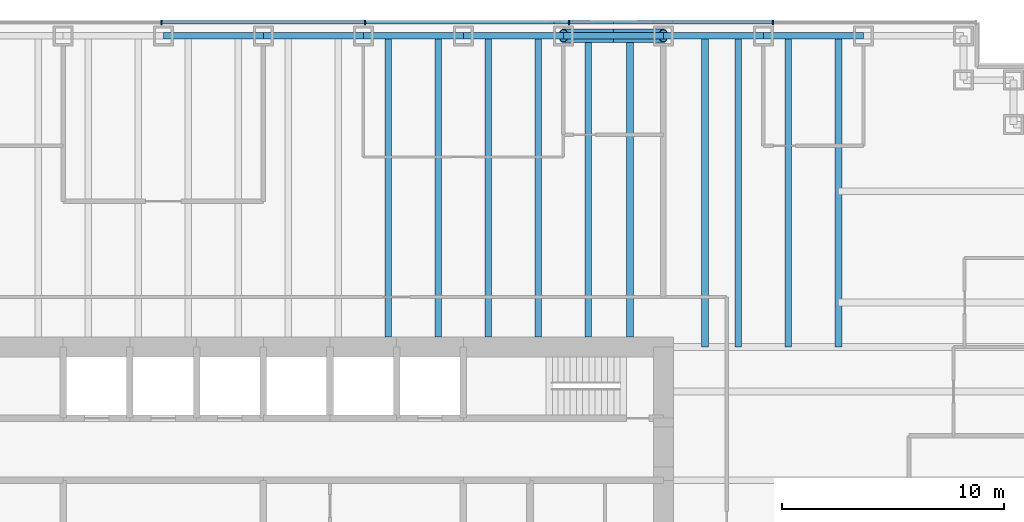
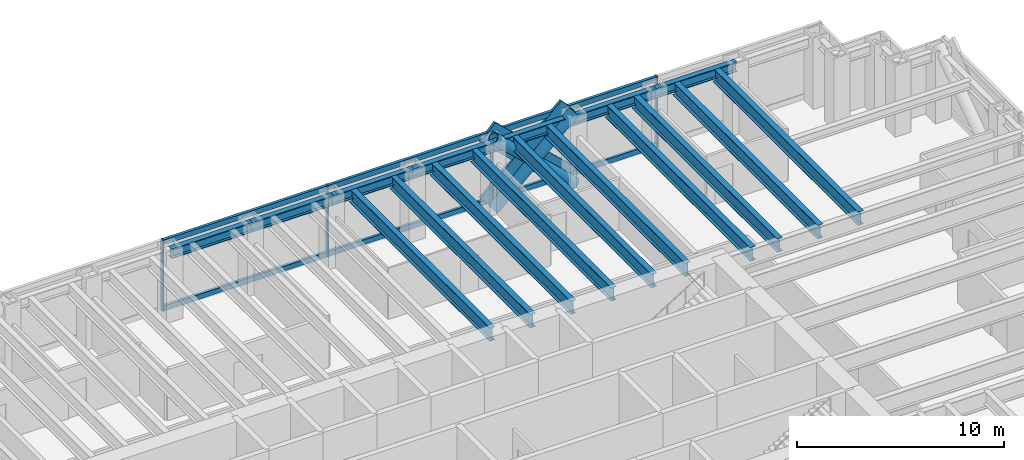
# One storey, part 7 of 17: 17 beams, 14 members, 1 element without a shape of its own.
"""IFC4 building model written with IfcOpenShell, lengths in metres."""

from ifc_helpers import new_model, si_unit, direction, frame, origin, origin_2d, place, context, subcontext, project, spatial, rectangle, hollow_circle, i_section, extrude, material, material_profile, profile_set, type_object, element, aggregate, save


model = new_model("IFC4")

# Units and contexts
model_context = context("Model", 3, precision=1e-05, world=origin(), true_north=direction((0.0, 1.0)))
body_context = subcontext(model_context, "Body", "Model", "MODEL_VIEW")
ifc_project = project(units=[si_unit("LENGTHUNIT", "METRE"), si_unit("AREAUNIT", "SQUARE_METRE"), si_unit("VOLUMEUNIT", "CUBIC_METRE"), si_unit("PLANEANGLEUNIT", "RADIAN"), si_unit("MASSUNIT", "GRAM", prefix="KILO")], contexts=[model_context])

# Site, building, storey
site_placement = place(None, origin())
site = spatial("IfcSite", under=ifc_project, at=site_placement, CompositionType="ELEMENT")
building_placement = place(site_placement, origin())
building = spatial("IfcBuilding", under=site, at=building_placement, Name="Rheinbord Bourse Tower", CompositionType="ELEMENT")
storey_placement = place(building_placement, frame((0.0, 0.0, 138.300048828125)))
storey = spatial("IfcBuildingStorey", under=building, at=storey_placement, Name="L30", CompositionType="ELEMENT", Elevation=138.300048828125)

# Curtain wall, members
ifc_material_1 = material(Name="Dark glass and black aluminium", Category="aluminium")
curtain_wall_type = type_object("IfcCurtainWallType", Name="CW2 DARK GLASS CURTAIN WALL", PredefinedType="USERDEFINED", material=ifc_material_1)
curtain_wall_placement = place(storey_placement, origin())
curtain_wall = element("IfcCurtainWall", 1, at=curtain_wall_placement, inside=storey, type_object=curtain_wall_type, Name="Curtain wall CW2 N L30", ObjectType="UNITISED CURTAIN WALL", PredefinedType="USERDEFINED")
ifc_material_2 = material(Name="Black anodised aluminium", Category="aluminium")
ifc_material_profile_1 = material_profile(ifc_material_2, rectangle(XDim=0.159912109375, YDim=1.2099609375, at=origin_2d()), Name="CW2 DIAGONAL MULLION 1210x160")
ifc_profile_set_1 = profile_set([ifc_material_profile_1], Name="Black anodised aluminium")
member_type_1 = type_object("IfcMemberType", Name="CW2 BLACK DIAGONAL MULLION", PredefinedType="USERDEFINED", material=ifc_profile_set_1)
member_1_placement = place(storey_placement, frame((54.0, 46.60009765625, 0.0), z_axis=(-0.73105922506, 0.0, 0.682314010889), x_axis=(0.0, -1.0, 0.0)))
member_1 = element("IfcMember", 2, at=member_1_placement, type_object=member_type_1, Name="CW2 diagonal mullion b", ObjectType="DIAGONAL MULLION", PredefinedType="USERDEFINED", context=body_context, shape_type="SweptSolid", body=[
    extrude(rectangle(XDim=0.159912109375, YDim=1.2099609375, at=origin_2d()), origin(), (0.0, 0.0, 1.0), 6.155517578125),
])
member_2_placement = place(storey_placement, frame((49.5, 46.60009765625, 0.0), z_axis=(0.73105922506, 0.0, 0.682314010889), x_axis=(0.0, 1.0, 0.0)))
member_2 = element("IfcMember", 3, at=member_2_placement, type_object=member_type_1, Name="CW2 diagonal mullion c", ObjectType="DIAGONAL MULLION", PredefinedType="USERDEFINED", context=body_context, shape_type="SweptSolid", body=[
    extrude(rectangle(XDim=0.159912109375, YDim=1.2099609375, at=origin_2d()), origin(), (0.0, 0.0, 1.0), 6.155517578125),
])
ifc_material_3 = material(Name="Black anodised aluminium", Category="aluminium")
ifc_material_profile_2 = material_profile(ifc_material_3, rectangle(XDim=0.219970703125, YDim=0.070068359375, at=origin_2d()), Name="CW2 MULLION 70x220")
ifc_profile_set_2 = profile_set([ifc_material_profile_2], Name="Black anodised aluminium")
member_type_2 = type_object("IfcMemberType", Name="CW2 BLACK MULLION", PredefinedType="MULLION", material=ifc_profile_set_2)
member_3_placement = place(storey_placement, frame((58.928466796875, 46.60009765625, 0.0), z_axis=(0.0, 0.0, 1.0), x_axis=(0.0, -1.0, 0.0)))
member_3 = element("IfcMember", 4, at=member_3_placement, type_object=member_type_2, Name="CW2 mullion 2", PredefinedType="MULLION", context=body_context, shape_type="SweptSolid", body=[
    extrude(rectangle(XDim=0.219970703125, YDim=0.070068359375, at=origin_2d()), origin(), (0.0, 0.0, 1.0), 4.199951171875),
])
member_4_placement = place(storey_placement, frame((49.757080078125, 46.60009765625, 0.0), z_axis=(0.0, 0.0, 1.0), x_axis=(0.0, -1.0, 0.0)))
member_4 = element("IfcMember", 5, at=member_4_placement, type_object=member_type_2, Name="CW2 mullion 3", PredefinedType="MULLION", context=body_context, shape_type="SweptSolid", body=[
    extrude(rectangle(XDim=0.219970703125, YDim=0.070068359375, at=origin_2d()), origin(), (0.0, 0.0, 1.0), 4.199951171875),
])
member_5_placement = place(storey_placement, frame((40.585693359375, 46.60009765625, 0.0), z_axis=(0.0, 0.0, 1.0), x_axis=(0.0, -1.0, 0.0)))
member_5 = element("IfcMember", 6, at=member_5_placement, type_object=member_type_2, Name="CW2 mullion 4", PredefinedType="MULLION", context=body_context, shape_type="SweptSolid", body=[
    extrude(rectangle(XDim=0.219970703125, YDim=0.070068359375, at=origin_2d()), origin(), (0.0, 0.0, 1.0), 4.199951171875),
])
member_6_placement = place(storey_placement, frame((31.414306640625, 46.60009765625, 0.0), z_axis=(0.0, 0.0, 1.0), x_axis=(0.0, -1.0, 0.0)))
member_6 = element("IfcMember", 7, at=member_6_placement, type_object=member_type_2, Name="CW2 mullion 5", PredefinedType="MULLION", context=body_context, shape_type="SweptSolid", body=[
    extrude(rectangle(XDim=0.219970703125, YDim=0.070068359375, at=origin_2d()), origin(), (0.0, 0.0, 1.0), 4.199951171875),
])
ifc_material_4 = material(Name="Black anodised aluminium", Category="aluminium")
ifc_material_profile_3 = material_profile(ifc_material_4, rectangle(XDim=0.159912109375, YDim=0.300048828125, at=origin_2d()), Name="CW2 TRANSOM 300x160")
ifc_profile_set_3 = profile_set([ifc_material_profile_3], Name="Black anodised aluminium")
member_type_3 = type_object("IfcMemberType", Name="CW2 BLACK TRANSOM", PredefinedType="USERDEFINED", material=ifc_profile_set_3)
member_7_placement = place(storey_placement, frame((58.8935546875, 46.60009765625, 0.14990234375), z_axis=(-1.0, 0.0, 0.0), x_axis=(0.0, -1.0, 0.0)))
member_7 = element("IfcMember", 8, at=member_7_placement, type_object=member_type_3, Name="CW2 transom 2.1", ObjectType="TRANSOM", PredefinedType="USERDEFINED", context=body_context, shape_type="SweptSolid", body=[
    extrude(rectangle(XDim=0.159912109375, YDim=0.300048828125, at=origin_2d()), origin(), (0.0, 0.0, 1.0), 9.101318359375),
])
member_8_placement = place(storey_placement, frame((58.8935546875, 46.60009765625, 4.050048828125), z_axis=(-1.0, 0.0, 0.0), x_axis=(0.0, -1.0, 0.0)))
member_8 = element("IfcMember", 9, at=member_8_placement, type_object=member_type_3, Name="CW2 transom 2.2", ObjectType="TRANSOM", PredefinedType="USERDEFINED", context=body_context, shape_type="SweptSolid", body=[
    extrude(rectangle(XDim=0.159912109375, YDim=0.300048828125, at=origin_2d()), origin(), (0.0, 0.0, 1.0), 9.101318359375),
])
member_9_placement = place(storey_placement, frame((49.72216796875, 46.60009765625, 0.14990234375), z_axis=(-1.0, 0.0, 0.0), x_axis=(0.0, -1.0, 0.0)))
member_9 = element("IfcMember", 10, at=member_9_placement, type_object=member_type_3, Name="CW2 transom 3.1", ObjectType="TRANSOM", PredefinedType="USERDEFINED", context=body_context, shape_type="SweptSolid", body=[
    extrude(rectangle(XDim=0.159912109375, YDim=0.300048828125, at=origin_2d()), origin(), (0.0, 0.0, 1.0), 9.1015625),
])
member_10_placement = place(storey_placement, frame((49.72216796875, 46.60009765625, 4.050048828125), z_axis=(-1.0, 0.0, 0.0), x_axis=(0.0, -1.0, 0.0)))
member_10 = element("IfcMember", 11, at=member_10_placement, type_object=member_type_3, Name="CW2 transom 3.2", ObjectType="TRANSOM", PredefinedType="USERDEFINED", context=body_context, shape_type="SweptSolid", body=[
    extrude(rectangle(XDim=0.159912109375, YDim=0.300048828125, at=origin_2d()), origin(), (0.0, 0.0, 1.0), 9.1015625),
])
member_11_placement = place(storey_placement, frame((40.55078125, 46.60009765625, 0.14990234375), z_axis=(-1.0, 0.0, 0.0), x_axis=(0.0, -1.0, 0.0)))
member_11 = element("IfcMember", 12, at=member_11_placement, type_object=member_type_3, Name="CW2 transom 4.1", ObjectType="TRANSOM", PredefinedType="USERDEFINED", context=body_context, shape_type="SweptSolid", body=[
    extrude(rectangle(XDim=0.159912109375, YDim=0.300048828125, at=origin_2d()), origin(), (0.0, 0.0, 1.0), 9.1015625),
])
member_12_placement = place(storey_placement, frame((40.55078125, 46.60009765625, 4.050048828125), z_axis=(-1.0, 0.0, 0.0), x_axis=(0.0, -1.0, 0.0)))
member_12 = element("IfcMember", 13, at=member_12_placement, type_object=member_type_3, Name="CW2 transom 4.2", ObjectType="TRANSOM", PredefinedType="USERDEFINED", context=body_context, shape_type="SweptSolid", body=[
    extrude(rectangle(XDim=0.159912109375, YDim=0.300048828125, at=origin_2d()), origin(), (0.0, 0.0, 1.0), 9.1015625),
])
aggregate(curtain_wall, [member_3, member_4, member_5, member_6, member_7, member_8, member_9, member_10, member_11, member_12, member_1, member_2])

# Beams
ifc_material_5 = material(Name="Steel S460", Category="steel")
ifc_material_profile_4 = material_profile(ifc_material_5, i_section(OverallWidth=0.300048828125, OverallDepth=0.800048828125, WebThickness=0.017578125, FlangeThickness=0.032958984375, at=origin_2d()), Name="HEB 800")
ifc_profile_set_4 = profile_set([ifc_material_profile_4], Name="Steel S460")
beam_type_1 = type_object("IfcBeamType", Name="FLOOR BEAM HEB 800", PredefinedType="BEAM", material=ifc_profile_set_4)
for number, where, z_axis, x_axis, name in (
    (14, (41.625, 46.0, 3.639892578125), (0.0, -1.0, 0.0), (1.0, 0.0, 0.0), "Floor beam N-40.5a L31"),
    (15, (43.875, 46.0, 3.639892578125), (0.0, -1.0, 0.0), (1.0, 0.0, 0.0), "Floor beam N-40.5b L31"),
    (16, (46.125, 46.0, 3.639892578125), (0.0, -1.0, 0.0), (1.0, 0.0, 0.0), "Floor beam N-45a L31"),
    (17, (48.375, 46.0, 3.639892578125), (0.0, -1.0, 0.0), (1.0, 0.0, 0.0), "Floor beam N-45b L31"),
    (18, (50.625, 46.0, 3.639892578125), (0.0, -1.0, 0.0), (1.0, 0.0, 0.0), "Floor beam N-49.5a L31"),
    (19, (52.5, 46.0, 3.639892578125), (0.0, -1.0, 0.0), (1.0, 0.0, 0.0), "Floor beam N-49.5b L31"),
):
    element("IfcBeam", number, at=place(storey_placement, frame(where, z_axis=z_axis, x_axis=x_axis)), inside=storey, type_object=beam_type_1, Name=name, PredefinedType="BEAM", context=body_context, shape_type="SweptSolid", body=[
        extrude(i_section(OverallWidth=0.300048828125, OverallDepth=0.800048828125, WebThickness=0.017578125, FlangeThickness=0.032958984375, at=origin_2d()), origin(), (0.0, 0.0, 1.0), 13.550048828125),
    ])
for number, where, z_axis, x_axis, name in (
    (20, (55.875, 46.0, 3.639892578125), (0.0, -1.0, 0.0), (1.0, 0.0, 0.0), "Floor beam N-54a L31"),
    (21, (57.375, 46.0, 3.639892578125), (0.0, -1.0, 0.0), (1.0, 0.0, 0.0), "Floor beam N-54b L31"),
    (22, (59.625, 46.0, 3.639892578125), (0.0, -1.0, 0.0), (1.0, 0.0, 0.0), "Floor beam N-58.5a L31"),
    (23, (61.875, 46.0, 3.639892578125), (0.0, -1.0, 0.0), (1.0, 0.0, 0.0), "Floor beam N-58.5b L31"),
):
    element("IfcBeam", number, at=place(storey_placement, frame(where, z_axis=z_axis, x_axis=x_axis)), inside=storey, type_object=beam_type_1, Name=name, PredefinedType="BEAM", context=body_context, shape_type="SweptSolid", body=[
        extrude(i_section(OverallWidth=0.300048828125, OverallDepth=0.800048828125, WebThickness=0.017578125, FlangeThickness=0.032958984375, at=origin_2d()), origin(), (0.0, 0.0, 1.0), 14.0),
    ])

# Members
ifc_material_6 = material(Name="Steel S460", Category="steel")
ifc_material_profile_5 = material_profile(ifc_material_6, hollow_circle(Radius=0.304931640625, WallThickness=0.0400390625, at=origin_2d()), Name="CHS 610x40")
ifc_profile_set_5 = profile_set([ifc_material_profile_5], Name="Steel S460")
member_type_4 = type_object("IfcMemberType", Name="MEGABRACE CHS 610x40", PredefinedType="BRACE", material=ifc_profile_set_5)
for number, where, z_axis, x_axis, name in (
    (24, (54.0, 46.0, 0.0), (-0.73105922506, 0.0, 0.682314010889), (0.0, -1.0, 0.0), "Megabrace N face line b L30"),
    (25, (49.5, 46.0, 0.0), (0.73105922506, 0.0, 0.682314010889), (0.0, 1.0, 0.0), "Megabrace N face line c L30"),
):
    element("IfcMember", number, at=place(storey_placement, frame(where, z_axis=z_axis, x_axis=x_axis)), inside=storey, type_object=member_type_4, Name=name, PredefinedType="BRACE", context=body_context, shape_type="SweptSolid", body=[
        extrude(hollow_circle(Radius=0.304931640625, WallThickness=0.0400390625, at=origin_2d()), origin(), (0.0, 0.0, 1.0), 6.155517578125),
    ])

# Beams
ifc_material_7 = material(Name="Steel S460", Category="steel")
ifc_material_profile_6 = material_profile(ifc_material_7, i_section(OverallWidth=0.305908203125, OverallDepth=0.572021484375, WebThickness=0.02099609375, FlangeThickness=0.0400390625, at=origin_2d()), Name="HEM 550")
ifc_profile_set_6 = profile_set([ifc_material_profile_6], Name="Steel S460")
beam_type_2 = type_object("IfcBeamType", Name="SPANDREL HEM 550", PredefinedType="SPANDREL", material=ifc_profile_set_6)
for number, where, z_axis, x_axis, name in (
    (26, (63.0, 46.0, 3.75390625), (-1.0, 0.0, 0.0), (0.0, -1.0, 0.0), "Spandrel N-63-N-58.5 under L31"),
    (27, (58.5, 46.0, 3.75390625), (-1.0, 0.0, 0.0), (0.0, -1.0, 0.0), "Spandrel N-58.5-N-54 under L31"),
    (28, (54.0, 46.0, 3.75390625), (-1.0, 0.0, 0.0), (0.0, -1.0, 0.0), "Spandrel N-54-N-49.5 under L31"),
    (29, (49.5, 46.0, 3.75390625), (-1.0, 0.0, 0.0), (0.0, -1.0, 0.0), "Spandrel N-49.5-N-45 under L31"),
    (30, (45.0, 46.0, 3.75390625), (-1.0, 0.0, 0.0), (0.0, -1.0, 0.0), "Spandrel N-45-N-40.5 under L31"),
    (31, (40.5, 46.0, 3.75390625), (-1.0, 0.0, 0.0), (0.0, -1.0, 0.0), "Spandrel N-40.5-N-36 under L31"),
    (32, (36.0, 46.0, 3.75390625), (-1.0, 0.0, 0.0), (0.0, -1.0, 0.0), "Spandrel N-36-N-31.5 under L31"),
):
    element("IfcBeam", number, at=place(storey_placement, frame(where, z_axis=z_axis, x_axis=x_axis)), inside=storey, type_object=beam_type_2, Name=name, PredefinedType="SPANDREL", context=body_context, shape_type="SweptSolid", body=[
        extrude(i_section(OverallWidth=0.305908203125, OverallDepth=0.572021484375, WebThickness=0.02099609375, FlangeThickness=0.0400390625, at=origin_2d()), origin(), (0.0, 0.0, 1.0), 4.5),
    ])

save(model, "model.ifc")
